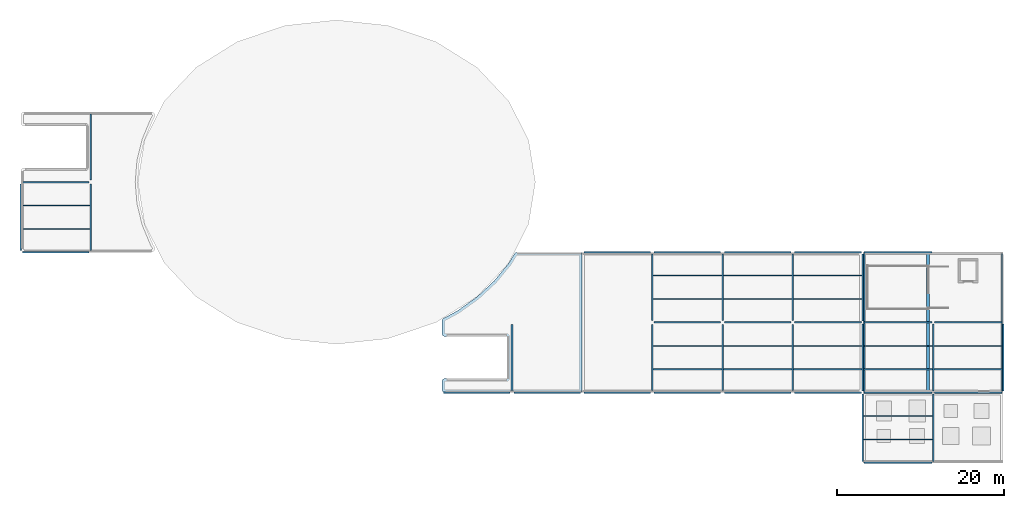
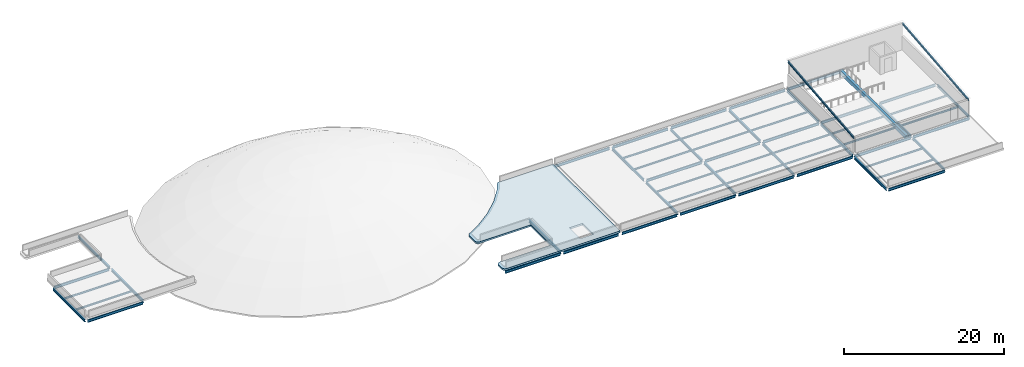
# One storey, part 1 of 5: 60 beams, 1 slab.
"""IFC4 building model written with IfcOpenShell, lengths in metres."""

from ifc_helpers import new_model, si_unit, derived_unit, direction, frame, origin, origin_2d, place, context, subcontext, project, spatial, polyline, rectangle, i_section, outline, extrude, material, layer, layer_set, material_profile, profile_set, type_object, element, save


model = new_model("IFC4")

# Units and contexts
model_context = context("Model", 3, precision=1e-05, world=origin(), true_north=direction((0.0, 1.0)))
body_context = subcontext(model_context, "Body", "Model", "MODEL_VIEW")
ifc_project = project(units=[si_unit("LENGTHUNIT", "METRE"), si_unit("AREAUNIT", "SQUARE_METRE"), si_unit("VOLUMEUNIT", "CUBIC_METRE"), si_unit("PLANEANGLEUNIT", "RADIAN"), si_unit("MASSUNIT", "GRAM", prefix="KILO"), derived_unit("THERMALTRANSMITTANCEUNIT", [(si_unit("POWERUNIT", "WATT"), 1), (si_unit("LENGTHUNIT", "METRE"), -2), (si_unit("THERMODYNAMICTEMPERATUREUNIT", "KELVIN"), -1)])], contexts=[model_context])

# Site, building, storey
site_placement = place(None, origin())
site = spatial("IfcSite", under=ifc_project, at=site_placement, CompositionType="ELEMENT")
building_placement = place(site_placement, origin())
building = spatial("IfcBuilding", under=site, at=building_placement, Name="Elbkamm Science Centre", CompositionType="ELEMENT")
storey_placement = place(building_placement, frame((0.0, 0.0, 25.5)))
storey = spatial("IfcBuildingStorey", under=building, at=storey_placement, Name="RF", CompositionType="ELEMENT", Elevation=25.5)

# Beams
ifc_material_1 = material(Name="Concrete C40/50", Category="concrete")
ifc_material_profile_1 = material_profile(ifc_material_1, rectangle(XDim=0.35009765625, YDim=0.60009765625, at=origin_2d()), Name="RC 350x600")
ifc_profile_set_1 = profile_set([ifc_material_profile_1], Name="Concrete C40/50")
beam_type_1 = type_object("IfcBeamType", Name="BM-RC-350x600", PredefinedType="BEAM", material=ifc_profile_set_1)
beam_1_placement = place(storey_placement, frame((133.780029296875, 42.139892578125, -0.300048828125), z_axis=(0.0, 1.0, 0.0), x_axis=(-1.0, 0.0, 0.0)))
element("IfcBeam", 1, at=beam_1_placement, inside=storey, type_object=beam_type_1, Name="RF ST-C3 Landing Trimmer Beam", PredefinedType="BEAM", context=body_context, shape_type="SweptSolid", body=[
    extrude(rectangle(XDim=0.35009765625, YDim=0.60009765625, at=origin_2d()), origin(), (0.0, 0.0, 1.0), 16.52001953125),
])
ifc_material_2 = material(Name="Steel EN 10025-2 S355J2", Category="steel")
ifc_material_profile_2 = material_profile(ifc_material_2, i_section(OverallWidth=0.14990234375, OverallDepth=0.300048828125, WebThickness=0.007080078125, FlangeThickness=0.0107421875, FilletRadius=0.014892578125, at=origin_2d()), Name="IPE 300")
ifc_profile_set_2 = profile_set([ifc_material_profile_2], Name="Steel EN 10025-2 S355J2")
beam_type_2 = type_object("IfcBeamType", Name="BM-STL-IPE300", PredefinedType="BEAM", material=ifc_profile_set_2)
for number, where, z_axis, x_axis, name in (
    (2, (126.1650390625, 42.139892578125, 2.22998046875), (0.0, 0.995049703687, 0.099378504678), (-1.0, 0.0, 0.0), "RF Headhouse Sloped Rake Girder W"),
    (3, (142.659912109375, 42.139892578125, 2.22998046875), (0.0, 0.995049703687, 0.099378504678), (-1.0, 0.0, 0.0), "RF Headhouse Sloped Rake Girder E"),
):
    element("IfcBeam", number, at=place(storey_placement, frame(where, z_axis=z_axis, x_axis=x_axis)), inside=storey, type_object=beam_type_2, Name=name, PredefinedType="BEAM", context=body_context, shape_type="SweptSolid", body=[
        extrude(i_section(OverallWidth=0.14990234375, OverallDepth=0.300048828125, WebThickness=0.007080078125, FlangeThickness=0.0107421875, FilletRadius=0.014892578125, at=origin_2d()), origin(), (0.0, 0.0, 1.0), 16.602294921875),
    ])
ifc_material_profile_3 = material_profile(ifc_material_2, i_section(OverallWidth=0.179931640625, OverallDepth=0.39990234375, WebThickness=0.008544921875, FlangeThickness=0.013427734375, FilletRadius=0.02099609375, at=origin_2d()), Name="IPE 400")
ifc_profile_set_3 = profile_set([ifc_material_profile_3], Name="Steel EN 10025-2 S355J2")
beam_type_3 = type_object("IfcBeamType", Name="BM-STL-IPE400", PredefinedType="BEAM", material=ifc_profile_set_3)
for number, where, z_axis, x_axis, name in (
    (4, (126.14990234375, 33.60009765625, -0.4599609375), (1.0, 0.0, 0.0), (0.0, 1.0, 0.0), "RF Primary X-Girder 001"),
    (5, (126.14990234375, 42.0, -0.4599609375), (1.0, 0.0, 0.0), (0.0, 1.0, 0.0), "RF Primary X-Girder 002"),
):
    element("IfcBeam", number, at=place(storey_placement, frame(where, z_axis=z_axis, x_axis=x_axis)), inside=storey, type_object=beam_type_3, Name=name, PredefinedType="BEAM", context=body_context, shape_type="SweptSolid", body=[
        extrude(i_section(OverallWidth=0.179931640625, OverallDepth=0.39990234375, WebThickness=0.008544921875, FlangeThickness=0.013427734375, FilletRadius=0.02099609375, at=origin_2d()), origin(), (0.0, 0.0, 1.0), 8.10009765625),
    ])
beam_2_placement = place(storey_placement, frame((134.550048828125, 42.0, -0.4599609375), z_axis=(1.0, 0.0, 0.0), x_axis=(0.0, 1.0, 0.0)))
element("IfcBeam", 6, at=beam_2_placement, inside=storey, type_object=beam_type_3, Name="RF Primary X-Girder 003", PredefinedType="BEAM", context=body_context, shape_type="SweptSolid", body=[
    extrude(i_section(OverallWidth=0.179931640625, OverallDepth=0.39990234375, WebThickness=0.008544921875, FlangeThickness=0.013427734375, FilletRadius=0.02099609375, at=origin_2d()), origin(), (0.0, 0.0, 1.0), 8.099853515625),
])
beam_3_placement = place(storey_placement, frame((126.14990234375, 50.39990234375, -0.4599609375), z_axis=(1.0, 0.0, 0.0), x_axis=(0.0, 1.0, 0.0)))
element("IfcBeam", 7, at=beam_3_placement, inside=storey, type_object=beam_type_3, Name="RF Primary X-Girder 004", PredefinedType="BEAM", context=body_context, shape_type="SweptSolid", body=[
    extrude(i_section(OverallWidth=0.179931640625, OverallDepth=0.39990234375, WebThickness=0.008544921875, FlangeThickness=0.013427734375, FilletRadius=0.02099609375, at=origin_2d()), origin(), (0.0, 0.0, 1.0), 8.10009765625),
])
beam_4_placement = place(storey_placement, frame((134.550048828125, 50.39990234375, -0.4599609375), z_axis=(1.0, 0.0, 0.0), x_axis=(0.0, 1.0, 0.0)))
element("IfcBeam", 8, at=beam_4_placement, inside=storey, type_object=beam_type_3, Name="RF Primary X-Girder 005", PredefinedType="BEAM", context=body_context, shape_type="SweptSolid", body=[
    extrude(i_section(OverallWidth=0.179931640625, OverallDepth=0.39990234375, WebThickness=0.008544921875, FlangeThickness=0.013427734375, FilletRadius=0.02099609375, at=origin_2d()), origin(), (0.0, 0.0, 1.0), 8.099853515625),
])
beam_5_placement = place(storey_placement, frame((126.14990234375, 58.800048828125, -0.4599609375), z_axis=(1.0, 0.0, 0.0), x_axis=(0.0, 1.0, 0.0)))
element("IfcBeam", 9, at=beam_5_placement, inside=storey, type_object=beam_type_3, Name="RF Primary X-Girder 006", PredefinedType="BEAM", context=body_context, shape_type="SweptSolid", body=[
    extrude(i_section(OverallWidth=0.179931640625, OverallDepth=0.39990234375, WebThickness=0.008544921875, FlangeThickness=0.013427734375, FilletRadius=0.02099609375, at=origin_2d()), origin(), (0.0, 0.0, 1.0), 8.10009765625),
])
for number, where, z_axis, x_axis, name in (
    (10, (126.0, 33.780029296875, -0.4599609375), (0.0, 1.0, 0.0), (-1.0, 0.0, 0.0), "RF Primary Y-Girder 001"),
    (11, (126.0, 42.179931640625, -0.4599609375), (0.0, 1.0, 0.0), (-1.0, 0.0, 0.0), "RF Primary Y-Girder 002"),
    (12, (126.0, 50.580078125, -0.4599609375), (0.0, 1.0, 0.0), (-1.0, 0.0, 0.0), "RF Primary Y-Girder 003"),
    (13, (134.39990234375, 33.780029296875, -0.4599609375), (0.0, 1.0, 0.0), (-1.0, 0.0, 0.0), "RF Primary Y-Girder 004"),
    (14, (134.39990234375, 42.179931640625, -0.4599609375), (0.0, 1.0, 0.0), (-1.0, 0.0, 0.0), "RF Primary Y-Girder 005"),
    (15, (142.800048828125, 42.179931640625, -0.4599609375), (0.0, 1.0, 0.0), (-1.0, 0.0, 0.0), "RF Primary Y-Girder 006"),
):
    element("IfcBeam", number, at=place(storey_placement, frame(where, z_axis=z_axis, x_axis=x_axis)), inside=storey, type_object=beam_type_3, Name=name, PredefinedType="BEAM", context=body_context, shape_type="SweptSolid", body=[
        extrude(i_section(OverallWidth=0.179931640625, OverallDepth=0.39990234375, WebThickness=0.008544921875, FlangeThickness=0.013427734375, FilletRadius=0.02099609375, at=origin_2d()), origin(), (0.0, 0.0, 1.0), 8.0400390625),
    ])
for number, where, z_axis, x_axis, name in (
    (16, (75.824951171875, 42.0, -0.4599609375), (1.0, 0.0, 0.0), (0.0, 1.0, 0.0), "RF Step-Back Primary X-Girder 001"),
    (17, (84.22509765625, 42.0, -0.4599609375), (1.0, 0.0, 0.0), (0.0, 1.0, 0.0), "RF Step-Back Primary X-Girder 002"),
    (18, (92.625, 42.0, -0.4599609375), (1.0, 0.0, 0.0), (0.0, 1.0, 0.0), "RF Step-Back Primary X-Girder 003"),
):
    element("IfcBeam", number, at=place(storey_placement, frame(where, z_axis=z_axis, x_axis=x_axis)), inside=storey, type_object=beam_type_3, Name=name, PredefinedType="BEAM", context=body_context, shape_type="SweptSolid", body=[
        extrude(i_section(OverallWidth=0.179931640625, OverallDepth=0.39990234375, WebThickness=0.008544921875, FlangeThickness=0.013427734375, FilletRadius=0.02099609375, at=origin_2d()), origin(), (0.0, 0.0, 1.0), 7.949951171875),
    ])
beam_6_placement = place(storey_placement, frame((101.02490234375, 42.0, -0.4599609375), z_axis=(1.0, 0.0, 0.0), x_axis=(0.0, 1.0, 0.0)))
element("IfcBeam", 19, at=beam_6_placement, inside=storey, type_object=beam_type_3, Name="RF Step-Back Primary X-Girder 004", PredefinedType="BEAM", context=body_context, shape_type="SweptSolid", body=[
    extrude(i_section(OverallWidth=0.179931640625, OverallDepth=0.39990234375, WebThickness=0.008544921875, FlangeThickness=0.013427734375, FilletRadius=0.02099609375, at=origin_2d()), origin(), (0.0, 0.0, 1.0), 7.9501953125),
])
beam_7_placement = place(storey_placement, frame((109.425048828125, 42.0, -0.4599609375), z_axis=(1.0, 0.0, 0.0), x_axis=(0.0, 1.0, 0.0)))
element("IfcBeam", 20, at=beam_7_placement, inside=storey, type_object=beam_type_3, Name="RF Step-Back Primary X-Girder 005", PredefinedType="BEAM", context=body_context, shape_type="SweptSolid", body=[
    extrude(i_section(OverallWidth=0.179931640625, OverallDepth=0.39990234375, WebThickness=0.008544921875, FlangeThickness=0.013427734375, FilletRadius=0.02099609375, at=origin_2d()), origin(), (0.0, 0.0, 1.0), 7.949951171875),
])
beam_8_placement = place(storey_placement, frame((117.824951171875, 42.0, -0.4599609375), z_axis=(1.0, 0.0, 0.0), x_axis=(0.0, 1.0, 0.0)))
element("IfcBeam", 21, at=beam_8_placement, inside=storey, type_object=beam_type_3, Name="RF Step-Back Primary X-Girder 006", PredefinedType="BEAM", context=body_context, shape_type="SweptSolid", body=[
    extrude(i_section(OverallWidth=0.179931640625, OverallDepth=0.39990234375, WebThickness=0.008544921875, FlangeThickness=0.013427734375, FilletRadius=0.02099609375, at=origin_2d()), origin(), (0.0, 0.0, 1.0), 8.025146484375),
])
beam_9_placement = place(storey_placement, frame((101.02490234375, 50.39990234375, -0.4599609375), z_axis=(1.0, 0.0, 0.0), x_axis=(0.0, 1.0, 0.0)))
element("IfcBeam", 22, at=beam_9_placement, inside=storey, type_object=beam_type_3, Name="RF Step-Back Primary X-Girder 007", PredefinedType="BEAM", context=body_context, shape_type="SweptSolid", body=[
    extrude(i_section(OverallWidth=0.179931640625, OverallDepth=0.39990234375, WebThickness=0.008544921875, FlangeThickness=0.013427734375, FilletRadius=0.02099609375, at=origin_2d()), origin(), (0.0, 0.0, 1.0), 7.9501953125),
])
beam_10_placement = place(storey_placement, frame((109.425048828125, 50.39990234375, -0.4599609375), z_axis=(1.0, 0.0, 0.0), x_axis=(0.0, 1.0, 0.0)))
element("IfcBeam", 23, at=beam_10_placement, inside=storey, type_object=beam_type_3, Name="RF Step-Back Primary X-Girder 008", PredefinedType="BEAM", context=body_context, shape_type="SweptSolid", body=[
    extrude(i_section(OverallWidth=0.179931640625, OverallDepth=0.39990234375, WebThickness=0.008544921875, FlangeThickness=0.013427734375, FilletRadius=0.02099609375, at=origin_2d()), origin(), (0.0, 0.0, 1.0), 7.949951171875),
])
beam_11_placement = place(storey_placement, frame((117.824951171875, 50.39990234375, -0.4599609375), z_axis=(1.0, 0.0, 0.0), x_axis=(0.0, 1.0, 0.0)))
element("IfcBeam", 24, at=beam_11_placement, inside=storey, type_object=beam_type_3, Name="RF Step-Back Primary X-Girder 009", PredefinedType="BEAM", context=body_context, shape_type="SweptSolid", body=[
    extrude(i_section(OverallWidth=0.179931640625, OverallDepth=0.39990234375, WebThickness=0.008544921875, FlangeThickness=0.013427734375, FilletRadius=0.02099609375, at=origin_2d()), origin(), (0.0, 0.0, 1.0), 8.025146484375),
])
for number, where, z_axis, x_axis, name in (
    (25, (25.425048828125, 58.800048828125, -0.4599609375), (1.0, 0.0, 0.0), (0.0, 1.0, 0.0), "RF Step-Back Primary X-Girder 010"),
    (26, (92.625, 58.800048828125, -0.4599609375), (1.0, 0.0, 0.0), (0.0, 1.0, 0.0), "RF Step-Back Primary X-Girder 011"),
):
    element("IfcBeam", number, at=place(storey_placement, frame(where, z_axis=z_axis, x_axis=x_axis)), inside=storey, type_object=beam_type_3, Name=name, PredefinedType="BEAM", context=body_context, shape_type="SweptSolid", body=[
        extrude(i_section(OverallWidth=0.179931640625, OverallDepth=0.39990234375, WebThickness=0.008544921875, FlangeThickness=0.013427734375, FilletRadius=0.02099609375, at=origin_2d()), origin(), (0.0, 0.0, 1.0), 7.949951171875),
    ])
beam_12_placement = place(storey_placement, frame((101.02490234375, 58.800048828125, -0.4599609375), z_axis=(1.0, 0.0, 0.0), x_axis=(0.0, 1.0, 0.0)))
element("IfcBeam", 27, at=beam_12_placement, inside=storey, type_object=beam_type_3, Name="RF Step-Back Primary X-Girder 012", PredefinedType="BEAM", context=body_context, shape_type="SweptSolid", body=[
    extrude(i_section(OverallWidth=0.179931640625, OverallDepth=0.39990234375, WebThickness=0.008544921875, FlangeThickness=0.013427734375, FilletRadius=0.02099609375, at=origin_2d()), origin(), (0.0, 0.0, 1.0), 7.9501953125),
])
beam_13_placement = place(storey_placement, frame((109.425048828125, 58.800048828125, -0.4599609375), z_axis=(1.0, 0.0, 0.0), x_axis=(0.0, 1.0, 0.0)))
element("IfcBeam", 28, at=beam_13_placement, inside=storey, type_object=beam_type_3, Name="RF Step-Back Primary X-Girder 013", PredefinedType="BEAM", context=body_context, shape_type="SweptSolid", body=[
    extrude(i_section(OverallWidth=0.179931640625, OverallDepth=0.39990234375, WebThickness=0.008544921875, FlangeThickness=0.013427734375, FilletRadius=0.02099609375, at=origin_2d()), origin(), (0.0, 0.0, 1.0), 7.949951171875),
])
beam_14_placement = place(storey_placement, frame((117.824951171875, 58.800048828125, -0.4599609375), z_axis=(1.0, 0.0, 0.0), x_axis=(0.0, 1.0, 0.0)))
element("IfcBeam", 29, at=beam_14_placement, inside=storey, type_object=beam_type_3, Name="RF Step-Back Primary X-Girder 014", PredefinedType="BEAM", context=body_context, shape_type="SweptSolid", body=[
    extrude(i_section(OverallWidth=0.179931640625, OverallDepth=0.39990234375, WebThickness=0.008544921875, FlangeThickness=0.013427734375, FilletRadius=0.02099609375, at=origin_2d()), origin(), (0.0, 0.0, 1.0), 8.025146484375),
])
beam_15_placement = place(storey_placement, frame((25.425048828125, 67.199951171875, -0.4599609375), z_axis=(1.0, 0.0, 0.0), x_axis=(0.0, 1.0, 0.0)))
element("IfcBeam", 30, at=beam_15_placement, inside=storey, type_object=beam_type_3, Name="RF Step-Back Primary X-Girder 015", PredefinedType="BEAM", context=body_context, shape_type="SweptSolid", body=[
    extrude(i_section(OverallWidth=0.179931640625, OverallDepth=0.39990234375, WebThickness=0.008544921875, FlangeThickness=0.013427734375, FilletRadius=0.02099609375, at=origin_2d()), origin(), (0.0, 0.0, 1.0), 7.949951171875),
])
for number, where, z_axis, x_axis, name in (
    (31, (25.199951171875, 59.02490234375, -0.4599609375), (0.0, 1.0, 0.0), (-1.0, 0.0, 0.0), "RF Step-Back Primary Y-Girder 001"),
    (32, (33.60009765625, 59.02490234375, -0.4599609375), (0.0, 1.0, 0.0), (-1.0, 0.0, 0.0), "RF Step-Back Primary Y-Girder 002"),
):
    element("IfcBeam", number, at=place(storey_placement, frame(where, z_axis=z_axis, x_axis=x_axis)), inside=storey, type_object=beam_type_3, Name=name, PredefinedType="BEAM", context=body_context, shape_type="SweptSolid", body=[
        extrude(i_section(OverallWidth=0.179931640625, OverallDepth=0.39990234375, WebThickness=0.008544921875, FlangeThickness=0.013427734375, FilletRadius=0.02099609375, at=origin_2d()), origin(), (0.0, 0.0, 1.0), 7.9501953125),
    ])
for number, where, z_axis, x_axis, name in (
    (33, (33.60009765625, 67.425048828125, -0.4599609375), (0.0, 1.0, 0.0), (-1.0, 0.0, 0.0), "RF Step-Back Primary Y-Girder 003"),
    (34, (84.0, 42.22509765625, -0.4599609375), (0.0, 1.0, 0.0), (-1.0, 0.0, 0.0), "RF Step-Back Primary Y-Girder 004"),
    (35, (100.800048828125, 42.22509765625, -0.4599609375), (0.0, 1.0, 0.0), (-1.0, 0.0, 0.0), "RF Step-Back Primary Y-Girder 005"),
    (36, (100.800048828125, 50.625, -0.4599609375), (0.0, 1.0, 0.0), (-1.0, 0.0, 0.0), "RF Step-Back Primary Y-Girder 006"),
    (37, (109.199951171875, 42.22509765625, -0.4599609375), (0.0, 1.0, 0.0), (-1.0, 0.0, 0.0), "RF Step-Back Primary Y-Girder 007"),
    (38, (109.199951171875, 50.625, -0.4599609375), (0.0, 1.0, 0.0), (-1.0, 0.0, 0.0), "RF Step-Back Primary Y-Girder 008"),
    (39, (117.60009765625, 42.22509765625, -0.4599609375), (0.0, 1.0, 0.0), (-1.0, 0.0, 0.0), "RF Step-Back Primary Y-Girder 009"),
    (40, (117.60009765625, 50.625, -0.4599609375), (0.0, 1.0, 0.0), (-1.0, 0.0, 0.0), "RF Step-Back Primary Y-Girder 010"),
):
    element("IfcBeam", number, at=place(storey_placement, frame(where, z_axis=z_axis, x_axis=x_axis)), inside=storey, type_object=beam_type_3, Name=name, PredefinedType="BEAM", context=body_context, shape_type="SweptSolid", body=[
        extrude(i_section(OverallWidth=0.179931640625, OverallDepth=0.39990234375, WebThickness=0.008544921875, FlangeThickness=0.013427734375, FilletRadius=0.02099609375, at=origin_2d()), origin(), (0.0, 0.0, 1.0), 7.949951171875),
    ])
ifc_material_profile_4 = material_profile(ifc_material_2, i_section(OverallWidth=0.135009765625, OverallDepth=0.27001953125, WebThickness=0.006591796875, FlangeThickness=0.01025390625, FilletRadius=0.014892578125, at=origin_2d()), Name="IPE 270")
ifc_profile_set_4 = profile_set([ifc_material_profile_4], Name="Steel EN 10025-2 S355J2")
beam_type_4 = type_object("IfcBeamType", Name="JST-STL-IPE270", PredefinedType="JOIST", material=ifc_profile_set_4)
for number, where, z_axis, x_axis, name in (
    (41, (126.090087890625, 36.39990234375, -0.39501953125), (1.0, 0.0, 0.0), (0.0, 1.0, 0.0), "RF Secondary Floor Joist 001"),
    (42, (126.090087890625, 39.199951171875, -0.39501953125), (1.0, 0.0, 0.0), (0.0, 1.0, 0.0), "RF Secondary Floor Joist 002"),
    (43, (126.090087890625, 44.800048828125, -0.39501953125), (1.0, 0.0, 0.0), (0.0, 1.0, 0.0), "RF Secondary Floor Joist 003"),
    (44, (126.090087890625, 47.60009765625, -0.39501953125), (1.0, 0.0, 0.0), (0.0, 1.0, 0.0), "RF Secondary Floor Joist 004"),
    (45, (134.489990234375, 44.800048828125, -0.39501953125), (1.0, 0.0, 0.0), (0.0, 1.0, 0.0), "RF Secondary Floor Joist 005"),
    (46, (134.489990234375, 47.60009765625, -0.39501953125), (1.0, 0.0, 0.0), (0.0, 1.0, 0.0), "RF Secondary Floor Joist 006"),
    (47, (25.2900390625, 61.60009765625, -0.39501953125), (1.0, 0.0, 0.0), (0.0, 1.0, 0.0), "RF Step-Back Secondary Floor Joist 001"),
    (48, (25.2900390625, 64.39990234375, -0.39501953125), (1.0, 0.0, 0.0), (0.0, 1.0, 0.0), "RF Step-Back Secondary Floor Joist 002"),
):
    element("IfcBeam", number, at=place(storey_placement, frame(where, z_axis=z_axis, x_axis=x_axis)), inside=storey, type_object=beam_type_4, Name=name, PredefinedType="JOIST", context=body_context, shape_type="SweptSolid", body=[
        extrude(i_section(OverallWidth=0.135009765625, OverallDepth=0.27001953125, WebThickness=0.006591796875, FlangeThickness=0.01025390625, FilletRadius=0.014892578125, at=origin_2d()), origin(), (0.0, 0.0, 1.0), 8.219970703125),
    ])
for number, where, z_axis, x_axis, name in (
    (49, (100.889892578125, 44.800048828125, -0.39501953125), (1.0, 0.0, 0.0), (0.0, 1.0, 0.0), "RF Step-Back Secondary Floor Joist 003"),
    (50, (100.889892578125, 47.60009765625, -0.39501953125), (1.0, 0.0, 0.0), (0.0, 1.0, 0.0), "RF Step-Back Secondary Floor Joist 004"),
    (51, (100.889892578125, 53.199951171875, -0.39501953125), (1.0, 0.0, 0.0), (0.0, 1.0, 0.0), "RF Step-Back Secondary Floor Joist 005"),
    (52, (100.889892578125, 56.0, -0.39501953125), (1.0, 0.0, 0.0), (0.0, 1.0, 0.0), "RF Step-Back Secondary Floor Joist 006"),
):
    element("IfcBeam", number, at=place(storey_placement, frame(where, z_axis=z_axis, x_axis=x_axis)), inside=storey, type_object=beam_type_4, Name=name, PredefinedType="JOIST", context=body_context, shape_type="SweptSolid", body=[
        extrude(i_section(OverallWidth=0.135009765625, OverallDepth=0.27001953125, WebThickness=0.006591796875, FlangeThickness=0.01025390625, FilletRadius=0.014892578125, at=origin_2d()), origin(), (0.0, 0.0, 1.0), 8.22021484375),
    ])
for number, where, z_axis, x_axis, name in (
    (53, (109.2900390625, 44.800048828125, -0.39501953125), (1.0, 0.0, 0.0), (0.0, 1.0, 0.0), "RF Step-Back Secondary Floor Joist 007"),
    (54, (109.2900390625, 47.60009765625, -0.39501953125), (1.0, 0.0, 0.0), (0.0, 1.0, 0.0), "RF Step-Back Secondary Floor Joist 008"),
    (55, (109.2900390625, 53.199951171875, -0.39501953125), (1.0, 0.0, 0.0), (0.0, 1.0, 0.0), "RF Step-Back Secondary Floor Joist 009"),
    (56, (109.2900390625, 56.0, -0.39501953125), (1.0, 0.0, 0.0), (0.0, 1.0, 0.0), "RF Step-Back Secondary Floor Joist 010"),
    (57, (117.68994140625, 44.800048828125, -0.39501953125), (1.0, 0.0, 0.0), (0.0, 1.0, 0.0), "RF Step-Back Secondary Floor Joist 011"),
    (58, (117.68994140625, 47.60009765625, -0.39501953125), (1.0, 0.0, 0.0), (0.0, 1.0, 0.0), "RF Step-Back Secondary Floor Joist 012"),
    (59, (117.68994140625, 53.199951171875, -0.39501953125), (1.0, 0.0, 0.0), (0.0, 1.0, 0.0), "RF Step-Back Secondary Floor Joist 013"),
    (60, (117.68994140625, 56.0, -0.39501953125), (1.0, 0.0, 0.0), (0.0, 1.0, 0.0), "RF Step-Back Secondary Floor Joist 014"),
):
    element("IfcBeam", number, at=place(storey_placement, frame(where, z_axis=z_axis, x_axis=x_axis)), inside=storey, type_object=beam_type_4, Name=name, PredefinedType="JOIST", context=body_context, shape_type="SweptSolid", body=[
        extrude(i_section(OverallWidth=0.135009765625, OverallDepth=0.27001953125, WebThickness=0.006591796875, FlangeThickness=0.01025390625, FilletRadius=0.014892578125, at=origin_2d()), origin(), (0.0, 0.0, 1.0), 8.219970703125),
    ])

# Slab
ifc_material_3 = material(Name="Reinforced concrete C40/50", Category="concrete")
ifc_layer = layer(ifc_material_3, 0.260009765625)
ifc_layer_set = layer_set([ifc_layer], Name="Reinforced concrete C40/50")
slab_type = type_object("IfcSlabType", Name="SLAB-ROOF-260", PredefinedType="ROOF", material=ifc_layer_set)
slab_placement = place(storey_placement, frame((0.0, 0.0, -0.260009765625)))
element("IfcSlab", 61, at=slab_placement, inside=storey, type_object=slab_type, Name="RF Step-Back Roof Slab 02", PredefinedType="ROOF", context=body_context, shape_type="SweptSolid", body=[
    extrude(outline(polyline([(75.608154296875, 43.341796875), (75.618408203125, 43.3837890625), (75.632568359375, 43.42431640625), (75.650634765625, 43.463623046875), (75.672119140625, 43.500732421875), (75.697265625, 43.535888671875), (75.7255859375, 43.568115234375), (75.7568359375, 43.597900390625), (75.791015625, 43.624267578125), (75.8271484375, 43.647216796875), (75.865478515625, 43.666748046875), (75.90576171875, 43.6826171875), (75.947021484375, 43.6943359375), (75.989501953125, 43.7021484375), (76.0322265625, 43.7060546875), (76.075439453125, 43.70556640625), (76.1181640625, 43.701171875), (76.160400390625, 43.692626953125), (76.19873046875, 43.680908203125), (76.199951171875, 43.6806640625), (76.199951171875, 43.679931640625), (76.2109375, 43.679931640625), (83.368896484375, 43.679931640625), (83.3798828125, 43.679931640625), (83.3798828125, 43.69091796875), (83.3798828125, 48.708984375), (83.3798828125, 48.719970703125), (83.368896484375, 48.719970703125), (76.2109375, 48.719970703125), (76.199951171875, 48.719970703125), (76.199951171875, 48.719482421875), (76.19873046875, 48.718994140625), (76.160400390625, 48.70751953125), (76.1181640625, 48.698974609375), (76.075439453125, 48.6943359375), (76.0322265625, 48.694091796875), (75.989501953125, 48.69775390625), (75.947021484375, 48.70556640625), (75.90576171875, 48.717529296875), (75.865478515625, 48.733154296875), (75.8271484375, 48.752685546875), (75.791015625, 48.77587890625), (75.7568359375, 48.80224609375), (75.7255859375, 48.831787109375), (75.697265625, 48.8642578125), (75.672119140625, 48.899169921875), (75.650634765625, 48.936279296875), (75.632568359375, 48.9755859375), (75.618408203125, 49.01611328125), (75.608154296875, 49.05810546875), (75.60205078125, 49.1005859375), (75.60009765625, 49.143798828125), (75.60009765625, 50.39990234375), (75.60009765625, 50.5126953125), (75.60205078125, 50.556640625), (75.6083984375, 50.60009765625), (75.619140625, 50.642578125), (75.6337890625, 50.683837890625), (75.65234375, 50.723388671875), (75.6748046875, 50.76123046875), (75.70068359375, 50.796630859375), (75.72998046875, 50.8291015625), (75.76220703125, 50.85888671875), (75.79736328125, 50.88525390625), (75.834716796875, 50.907958984375), (77.477294921875, 51.80224609375), (77.4833984375, 51.8056640625), (77.487548828125, 51.80810546875), (77.492919921875, 51.81201171875), (79.24755859375, 53.06591796875), (79.818359375, 53.4736328125), (79.82421875, 53.477783203125), (79.828125, 53.481201171875), (79.83349609375, 53.486083984375), (81.871826171875, 55.3798828125), (81.877197265625, 55.385009765625), (81.881103515625, 55.388916015625), (81.885986328125, 55.39501953125), (83.6025390625, 57.48828125), (83.607666015625, 57.49462890625), (83.611083984375, 57.499267578125), (83.615234375, 57.506103515625), (84.266845703125, 58.5830078125), (84.292724609375, 58.62109375), (84.322509765625, 58.656494140625), (84.355712890625, 58.688720703125), (84.391845703125, 58.71728515625), (84.430908203125, 58.741943359375), (84.472412109375, 58.7626953125), (84.515380859375, 58.77880859375), (84.560302734375, 58.79052734375), (84.605712890625, 58.797607421875), (84.65185546875, 58.800048828125), (92.39990234375, 58.800048828125), (92.39990234375, 42.0), (76.050048828125, 42.0), (76.005859375, 42.002197265625), (75.962158203125, 42.008544921875), (75.91943359375, 42.019287109375), (75.877685546875, 42.0341796875), (75.837890625, 42.052978515625), (75.800048828125, 42.07568359375), (75.764404296875, 42.10205078125), (75.731689453125, 42.1318359375), (75.7021484375, 42.16455078125), (75.67578125, 42.199951171875), (75.653076171875, 42.23779296875), (75.63427734375, 42.27783203125), (75.619384765625, 42.3193359375), (75.608642578125, 42.3623046875), (75.602294921875, 42.406005859375), (75.60009765625, 42.449951171875), (75.60009765625, 43.25634765625), (75.60205078125, 43.29931640625), (75.608154296875, 43.341796875)]), holes=[polyline([(89.14990234375, 43.050048828125), (89.14990234375, 43.06103515625), (89.14990234375, 45.739013671875), (89.14990234375, 45.75), (89.138916015625, 45.75), (87.260986328125, 45.75), (87.25, 45.75), (87.25, 45.739013671875), (87.25, 43.06103515625), (87.25, 43.050048828125), (87.260986328125, 43.050048828125), (89.138916015625, 43.050048828125), (89.14990234375, 43.050048828125)])]), origin(), (0.0, 0.0, 1.0), 0.260009765625),
])

save(model, "model.ifc")
